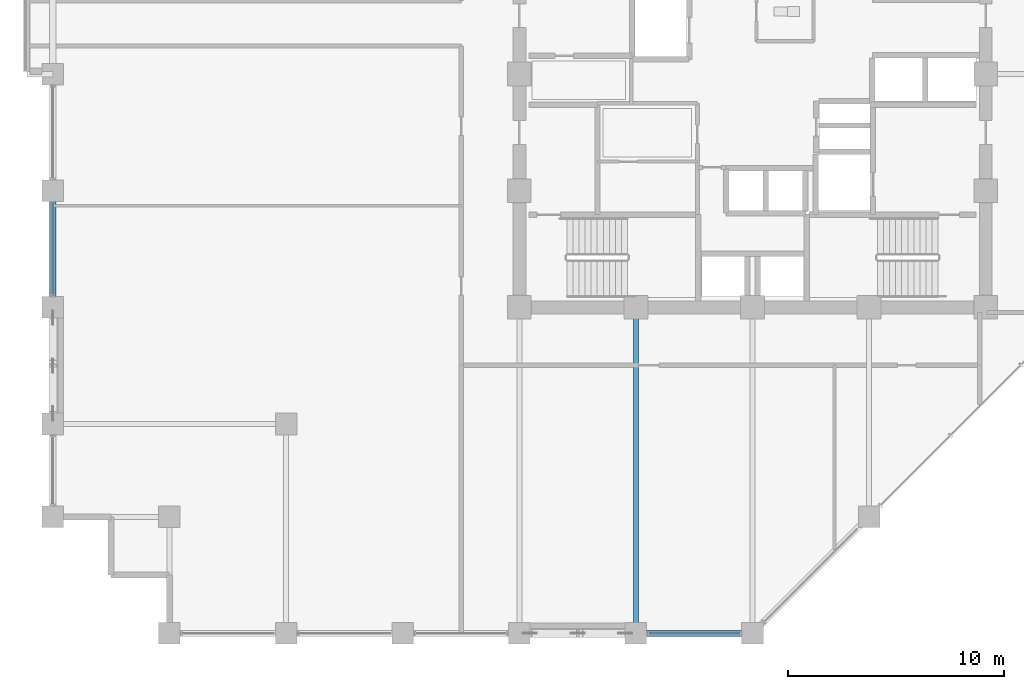
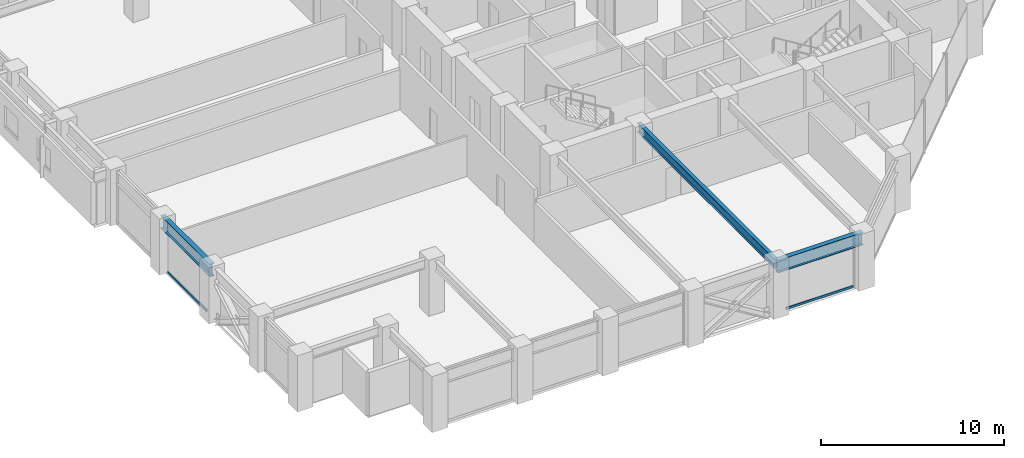
# One storey, part 5 of 25: 3 beams, 2 members, 2 elements without a shape of their own.
"""IFC4 building model written with IfcOpenShell, lengths in metres."""

from ifc_helpers import new_model, si_unit, direction, frame, origin, origin_2d, place, context, subcontext, project, spatial, hollow_rectangle, i_section, extrude, material, layer, layer_set, material_profile, profile_set, type_object, element, aggregate, save


model = new_model("IFC4")

# Units and contexts
model_context = context("Model", 3, precision=1e-05, world=origin(), true_north=direction((0.0, 1.0)))
body_context = subcontext(model_context, "Body", "Model", "MODEL_VIEW")
ifc_project = project(units=[si_unit("LENGTHUNIT", "METRE"), si_unit("AREAUNIT", "SQUARE_METRE"), si_unit("VOLUMEUNIT", "CUBIC_METRE"), si_unit("PLANEANGLEUNIT", "RADIAN"), si_unit("MASSUNIT", "GRAM", prefix="KILO")], contexts=[model_context])

# Site, building, storey
site_placement = place(None, origin())
site = spatial("IfcSite", under=ifc_project, at=site_placement, CompositionType="ELEMENT")
building_placement = place(site_placement, origin())
building = spatial("IfcBuilding", under=site, at=building_placement, Name="Surkhivell Harbour Commons", CompositionType="ELEMENT")
storey_placement = place(building_placement, frame((0.0, 0.0, 139.5)))
storey = spatial("IfcBuildingStorey", under=building, at=storey_placement, Name="L36", CompositionType="ELEMENT", Elevation=139.5)

# Beams
ifc_material_1 = material(Name="Steel S355", Category="steel")
ifc_material_profile_1 = material_profile(ifc_material_1, i_section(OverallWidth=0.22998046875, OverallDepth=0.616943359375, WebThickness=0.01318359375, FlangeThickness=0.022216796875, at=origin_2d()), Name="UB610x229x140")
ifc_profile_set_1 = profile_set([ifc_material_profile_1], Name="Steel S355")
beam_type_1 = type_object("IfcBeamType", Name="BM-GRD-610B", PredefinedType="BEAM", material=ifc_profile_set_1)
beam_1_placement = place(storey_placement, frame((-5.39990234375, -25.89990234375, 3.261474609375), z_axis=(0.0, 1.0, 0.0), x_axis=(-1.0, 0.0, 0.0)))
element("IfcBeam", 1, at=beam_1_placement, inside=storey, type_object=beam_type_1, Name="L36 Floor Girder (-5.4,-25.9)", PredefinedType="BEAM", context=body_context, shape_type="SweptSolid", body=[
    extrude(i_section(OverallWidth=0.22998046875, OverallDepth=0.616943359375, WebThickness=0.01318359375, FlangeThickness=0.022216796875, at=origin_2d()), origin(), (0.0, 0.0, 1.0), 15.099853515625),
])
ifc_material_2 = material(Name="Steel S460", Category="steel")
ifc_material_profile_2 = material_profile(ifc_material_2, i_section(OverallWidth=0.2939453125, OverallDepth=0.85107421875, WebThickness=0.01611328125, FlangeThickness=0.02685546875, at=origin_2d()), Name="UB838x292x226")
ifc_profile_set_2 = profile_set([ifc_material_profile_2], Name="Steel S460")
beam_type_2 = type_object("IfcBeamType", Name="BM-SPN-838", PredefinedType="SPANDREL", material=ifc_profile_set_2)
beam_2_placement = place(storey_placement, frame((-32.39990234375, -10.800048828125, 3.14453125), z_axis=(0.0, 1.0, 0.0), x_axis=(-1.0, 0.0, 0.0)))
element("IfcBeam", 2, at=beam_2_placement, inside=storey, type_object=beam_type_2, Name="L36 Tube Spandrel (-32.4,-10.8)", PredefinedType="SPANDREL", context=body_context, shape_type="SweptSolid", body=[
    extrude(i_section(OverallWidth=0.2939453125, OverallDepth=0.85107421875, WebThickness=0.01611328125, FlangeThickness=0.02685546875, at=origin_2d()), origin(), (0.0, 0.0, 1.0), 5.400146484375),
])
beam_3_placement = place(storey_placement, frame((-5.39990234375, -25.89990234375, 3.14453125), z_axis=(1.0, 0.0, 0.0), x_axis=(0.0, 1.0, 0.0)))
element("IfcBeam", 3, at=beam_3_placement, inside=storey, type_object=beam_type_2, Name="L36 Tube Spandrel (-5.4,-25.9)", PredefinedType="SPANDREL", context=body_context, shape_type="SweptSolid", body=[
    extrude(i_section(OverallWidth=0.2939453125, OverallDepth=0.85107421875, WebThickness=0.01611328125, FlangeThickness=0.02685546875, at=origin_2d()), origin(), (0.0, 0.0, 1.0), 5.39990234375),
])

# Curtain wall, member
ifc_material_3 = material(Name="Anodised pale-metal aluminium and insulated glazing", Category="aluminium")
ifc_layer = layer(ifc_material_3, 0.205078125)
ifc_layer_set = layer_set([ifc_layer], Name="Anodised pale-metal aluminium and insulated glazing")
curtain_wall_type = type_object("IfcCurtainWallType", Name="CW-SYS-Z2", PredefinedType="NOTDEFINED", material=ifc_layer_set)
curtain_wall_1_placement = place(storey_placement, origin())
curtain_wall_1 = element("IfcCurtainWall", 4, at=curtain_wall_1_placement, inside=storey, type_object=curtain_wall_type, Name="L36 Curtain Wall CW-L36-E00S2", PredefinedType="NOTDEFINED")
ifc_material_4 = material(Name="Anodised pale-metal aluminium alloy 6063-T6", Category="aluminium")
ifc_material_profile_3 = material_profile(ifc_material_4, hollow_rectangle(XDim=0.074951171875, YDim=0.14990234375, WallThickness=0.00341796875, at=origin_2d()), Name="ALU-TRAN-75x150")
ifc_profile_set_3 = profile_set([ifc_material_profile_3], Name="Anodised pale-metal aluminium alloy 6063-T6")
member_type = type_object("IfcMemberType", Name="CWT-150", PredefinedType="USERDEFINED", material=ifc_profile_set_3)
member_1_placement = place(storey_placement, frame((-4.822998046875, -25.89990234375, 0.074951171875), z_axis=(1.0, 0.0, 0.0), x_axis=(0.0, 1.0, 0.0)))
member_1 = element("IfcMember", 5, at=member_1_placement, type_object=member_type, Name="CW-Z2 transom 1.1", ObjectType="TRANSOM", PredefinedType="USERDEFINED", context=body_context, shape_type="SweptSolid", body=[
    extrude(hollow_rectangle(XDim=0.074951171875, YDim=0.14990234375, WallThickness=0.00341796875, at=origin_2d()), origin(), (0.0, 0.0, 1.0), 4.24609375),
])
aggregate(curtain_wall_1, [member_1])

curtain_wall_2_placement = place(storey_placement, origin())
curtain_wall_2 = element("IfcCurtainWall", 6, at=curtain_wall_2_placement, inside=storey, type_object=curtain_wall_type, Name="L36 Curtain Wall CW-L36-E12R1S2", PredefinedType="NOTDEFINED")
member_2_placement = place(storey_placement, frame((-32.39990234375, -10.222900390625, 0.074951171875), z_axis=(0.0, 1.0, 0.0), x_axis=(-1.0, 0.0, 0.0)))
member_2 = element("IfcMember", 7, at=member_2_placement, type_object=member_type, Name="CW-Z2 transom 1.1", ObjectType="TRANSOM", PredefinedType="USERDEFINED", context=body_context, shape_type="SweptSolid", body=[
    extrude(hollow_rectangle(XDim=0.074951171875, YDim=0.14990234375, WallThickness=0.00341796875, at=origin_2d()), origin(), (0.0, 0.0, 1.0), 4.245849609375),
])
aggregate(curtain_wall_2, [member_2])

save(model, "model.ifc")
